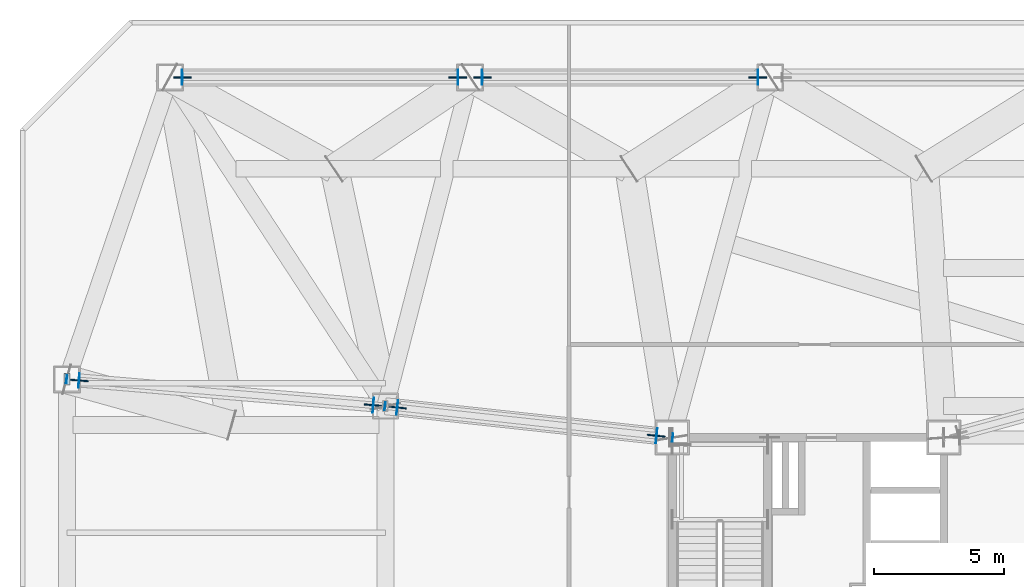
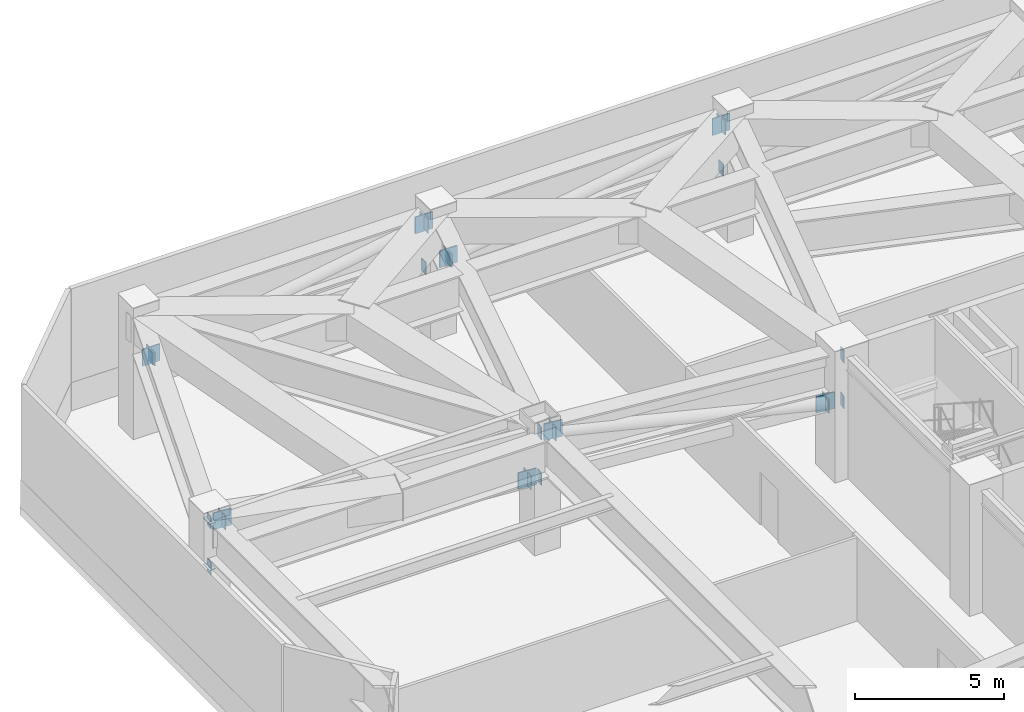
# One storey, part 12 of 18: 28 plates.
"""IFC4 building model written with IfcOpenShell, lengths in metres."""

from ifc_helpers import new_model, si_unit, direction, frame, origin, origin_2d, place, context, subcontext, project, spatial, rectangle, extrude, material, layer, layer_set, type_object, element, save


model = new_model("IFC4")

# Units and contexts
model_context = context("Model", 3, precision=1e-05, world=origin(), true_north=direction((0.0, 1.0)))
body_context = subcontext(model_context, "Body", "Model", "MODEL_VIEW")
ifc_project = project(units=[si_unit("LENGTHUNIT", "METRE"), si_unit("AREAUNIT", "SQUARE_METRE"), si_unit("VOLUMEUNIT", "CUBIC_METRE"), si_unit("PLANEANGLEUNIT", "RADIAN"), si_unit("MASSUNIT", "GRAM", prefix="KILO")], contexts=[model_context])

# Site, building, storey
site_placement = place(None, origin())
site = spatial("IfcSite", under=ifc_project, at=site_placement, CompositionType="ELEMENT")
building_placement = place(site_placement, origin())
building = spatial("IfcBuilding", under=site, at=building_placement, Name="Khamvora Tower", CompositionType="ELEMENT")
storey_placement = place(building_placement, frame((0.0, 0.0, 84.39990234375)))
storey = spatial("IfcBuildingStorey", under=building, at=storey_placement, Name="L21", CompositionType="ELEMENT", Elevation=84.39990234375)

# Plates
ifc_material_1 = material(Name="Steel S355", Category="steel")
ifc_layer_1 = layer(ifc_material_1, 0.02490234375)
ifc_layer_set_1 = layer_set([ifc_layer_1], Name="Steel S355")
plate_type_1 = type_object("IfcPlateType", Name="PL-CAP-25", PredefinedType="SHEET", material=ifc_layer_set_1)
for number, where, z_axis, x_axis, name in (
    (1, (29.011962890625, 36.9990234375, 4.375), (0.0, 0.0, 1.0), (-0.994101853063, 0.108450475968, 0.0), "L21 hollow section steel end cap plate 0624"),
    (2, (17.988037109375, 38.200927734375, 4.375), (0.0, 0.0, 1.0), (-0.994101853063, 0.108450475968, 0.0), "L21 hollow section steel end cap plate 0625"),
    (3, (29.011962890625, 36.9990234375, 2.5048828125), (0.0, 0.0, 1.0), (-0.994101853063, 0.108450475968, 0.0), "L21 hollow section steel end cap plate 0626"),
    (4, (17.988037109375, 38.200927734375, 2.5048828125), (0.0, 0.0, 1.0), (-0.994101853063, 0.108450475968, 0.0), "L21 hollow section steel end cap plate 0627"),
):
    element("IfcPlate", number, at=place(storey_placement, frame(where, z_axis=z_axis, x_axis=x_axis)), inside=storey, type_object=plate_type_1, Name=name, PredefinedType="SHEET", context=body_context, shape_type="SweptSolid", body=[
        extrude(rectangle(XDim=0.02490234375, YDim=0.31005859375, at=origin_2d()), origin(), (0.0, 0.0, 1.0), 0.510009765625),
    ])
for number, where, z_axis, x_axis, name in (
    (5, (28.39404296875, 37.06591796875, 2.5791015625), (0.0, 0.0, 1.0), (-0.994094279368, 0.108519877105, 0.0), "L21 hollow section steel end cap plate 0628"),
    (6, (18.4580078125, 38.14990234375, 4.26806640625), (0.0, 0.0, 1.0), (-0.994094279368, 0.108519877105, 0.0), "L21 hollow section steel end cap plate 0629"),
):
    element("IfcPlate", number, at=place(storey_placement, frame(where, z_axis=z_axis, x_axis=x_axis)), inside=storey, type_object=plate_type_1, Name=name, PredefinedType="SHEET", context=body_context, shape_type="SweptSolid", body=[
        extrude(rectangle(XDim=0.02490234375, YDim=0.568115234375, at=origin_2d()), origin(), (0.0, 0.0, 1.0), 0.568115234375),
    ])
for number, where, z_axis, x_axis, name in (
    (7, (5.7880859375, 39.22607421875, 4.375), (0.0, 0.0, 1.0), (-0.996488476522, 0.083730019462, 0.0), "L21 hollow section steel end cap plate 0630"),
    (8, (5.7880859375, 39.22607421875, 2.5048828125), (0.0, 0.0, 1.0), (-0.996488476522, 0.083730019462, 0.0), "L21 hollow section steel end cap plate 0631"),
):
    element("IfcPlate", number, at=place(storey_placement, frame(where, z_axis=z_axis, x_axis=x_axis)), inside=storey, type_object=plate_type_1, Name=name, PredefinedType="SHEET", context=body_context, shape_type="SweptSolid", body=[
        extrude(rectangle(XDim=0.02490234375, YDim=0.31005859375, at=origin_2d()), origin(), (0.0, 0.0, 1.0), 0.510009765625),
    ])
for number, where, z_axis, x_axis, name in (
    (9, (17.5390625, 38.239013671875, 2.5458984375), (0.0, 0.0, 1.0), (-0.99649285925, 0.083677843332, 0.0), "L21 hollow section steel end cap plate 0632"),
    (10, (6.260986328125, 39.18603515625, 4.27587890625), (0.0, 0.0, 1.0), (-0.99649285925, 0.083677843332, 0.0), "L21 hollow section steel end cap plate 0633"),
):
    element("IfcPlate", number, at=place(storey_placement, frame(where, z_axis=z_axis, x_axis=x_axis)), inside=storey, type_object=plate_type_1, Name=name, PredefinedType="SHEET", context=body_context, shape_type="SweptSolid", body=[
        extrude(rectangle(XDim=0.02490234375, YDim=0.568115234375, at=origin_2d()), origin(), (0.0, 0.0, 1.0), 0.568115234375),
    ])
for number, where, z_axis, x_axis, name in (
    (11, (5.800048828125, 39.22509765625, 2.734619140625), (0.0, 0.0, 1.0), (1.0, 0.0, 0.0), "L21 hollow section steel end cap plate 0634"),
    (12, (5.800048828125, 39.22509765625, 4.630615234375), (0.0, 0.0, 1.0), (1.0, 0.0, 0.0), "L21 hollow section steel end cap plate 0635"),
):
    element("IfcPlate", number, at=place(storey_placement, frame(where, z_axis=z_axis, x_axis=x_axis)), inside=storey, type_object=plate_type_1, Name=name, PredefinedType="SHEET", context=body_context, shape_type="SweptSolid", body=[
        extrude(rectangle(XDim=0.239990234375, YDim=0.43994140625, at=origin_2d()), origin(), (0.0, 0.0, 1.0), 0.02490234375),
    ])
for number, where, z_axis, x_axis, name in (
    (13, (10.218017578125, 50.800048828125, 2.5048828125), (0.0, 0.0, 1.0), (1.0, 0.0, 0.0), "L21 hollow section steel end cap plate 0670"),
    (14, (20.781982421875, 50.800048828125, 2.5048828125), (0.0, 0.0, 1.0), (1.0, 0.0, 0.0), "L21 hollow section steel end cap plate 0671"),
):
    element("IfcPlate", number, at=place(storey_placement, frame(where, z_axis=z_axis, x_axis=x_axis)), inside=storey, type_object=plate_type_1, Name=name, PredefinedType="SHEET", context=body_context, shape_type="SweptSolid", body=[
        extrude(rectangle(XDim=0.02490234375, YDim=0.31005859375, at=origin_2d()), origin(), (0.0, 0.0, 1.0), 0.510009765625),
    ])
for number, where, z_axis, x_axis, name in (
    (15, (10.2119140625, 50.800048828125, 2.55126953125), (0.0, 0.0, 1.0), (1.0, 0.0, 0.0), "L21 hollow section steel end cap plate 0672"),
    (16, (20.7880859375, 50.800048828125, 4.27099609375), (0.0, 0.0, 1.0), (1.0, 0.0, 0.0), "L21 hollow section steel end cap plate 0673"),
):
    element("IfcPlate", number, at=place(storey_placement, frame(where, z_axis=z_axis, x_axis=x_axis)), inside=storey, type_object=plate_type_1, Name=name, PredefinedType="SHEET", context=body_context, shape_type="SweptSolid", body=[
        extrude(rectangle(XDim=0.02490234375, YDim=0.568115234375, at=origin_2d()), origin(), (0.0, 0.0, 1.0), 0.568115234375),
    ])
for number, where, z_axis, x_axis, name in (
    (17, (21.718017578125, 50.800048828125, 2.5048828125), (0.0, 0.0, 1.0), (1.0, 0.0, 0.0), "L21 hollow section steel end cap plate 0674"),
    (18, (32.282958984375, 50.800048828125, 2.5048828125), (0.0, 0.0, 1.0), (1.0, 0.0, 0.0), "L21 hollow section steel end cap plate 0675"),
):
    element("IfcPlate", number, at=place(storey_placement, frame(where, z_axis=z_axis, x_axis=x_axis)), inside=storey, type_object=plate_type_1, Name=name, PredefinedType="SHEET", context=body_context, shape_type="SweptSolid", body=[
        extrude(rectangle(XDim=0.02490234375, YDim=0.31005859375, at=origin_2d()), origin(), (0.0, 0.0, 1.0), 0.510009765625),
    ])
for number, where, z_axis, x_axis, name in (
    (19, (21.7119140625, 50.800048828125, 2.55126953125), (0.0, 0.0, 1.0), (1.0, 0.0, 0.0), "L21 hollow section steel end cap plate 0676"),
    (20, (32.2880859375, 50.800048828125, 4.27099609375), (0.0, 0.0, 1.0), (1.0, 0.0, 0.0), "L21 hollow section steel end cap plate 0677"),
):
    element("IfcPlate", number, at=place(storey_placement, frame(where, z_axis=z_axis, x_axis=x_axis)), inside=storey, type_object=plate_type_1, Name=name, PredefinedType="SHEET", context=body_context, shape_type="SweptSolid", body=[
        extrude(rectangle(XDim=0.02490234375, YDim=0.568115234375, at=origin_2d()), origin(), (0.0, 0.0, 1.0), 0.568115234375),
    ])
ifc_material_2 = material(Name="Steel S460", Category="steel")
ifc_layer_2 = layer(ifc_material_2, 0.050048828125)
ifc_layer_set_2 = layer_set([ifc_layer_2], Name="Steel S460")
plate_type_2 = type_object("IfcPlateType", Name="PLT-GUS-50", PredefinedType="SHEET", material=ifc_layer_set_2)
for number, where, z_axis, x_axis, name in (
    (21, (28.382080078125, 37.06689453125, 2.52490234375), (0.0, 0.0, 1.0), (-0.994101853063, 0.108450475968, 0.0), "L21 brace connection node gusset plate 0133"),
    (22, (18.469970703125, 38.14892578125, 4.2099609375), (0.0, 0.0, 1.0), (-0.994101853063, 0.108450475968, 0.0), "L21 brace connection node gusset plate 0134"),
    (23, (17.527099609375, 38.239990234375, 2.4921875), (0.0, 0.0, 1.0), (-0.996488476522, 0.083730019462, 0.0), "L21 brace connection node gusset plate 0135"),
    (24, (6.27294921875, 39.18505859375, 4.21826171875), (0.0, 0.0, 1.0), (-0.996488476522, 0.083730019462, 0.0), "L21 brace connection node gusset plate 0136"),
    (25, (10.22412109375, 50.800048828125, 2.4970703125), (0.0, 0.0, 1.0), (1.0, 0.0, 0.0), "L21 brace connection node gusset plate 0149"),
    (26, (20.77587890625, 50.800048828125, 4.212890625), (0.0, 0.0, 1.0), (1.0, 0.0, 0.0), "L21 brace connection node gusset plate 0150"),
    (27, (21.72412109375, 50.800048828125, 2.4970703125), (0.0, 0.0, 1.0), (1.0, 0.0, 0.0), "L21 brace connection node gusset plate 0151"),
    (28, (32.27587890625, 50.800048828125, 4.212890625), (0.0, 0.0, 1.0), (1.0, 0.0, 0.0), "L21 brace connection node gusset plate 0152"),
):
    element("IfcPlate", number, at=place(storey_placement, frame(where, z_axis=z_axis, x_axis=x_axis)), inside=storey, type_object=plate_type_2, Name=name, PredefinedType="SHEET", context=body_context, shape_type="SweptSolid", body=[
        extrude(rectangle(XDim=0.679931640625, YDim=0.050048828125, at=origin_2d()), origin(), (0.0, 0.0, 1.0), 0.679931640625),
    ])

save(model, "model.ifc")
